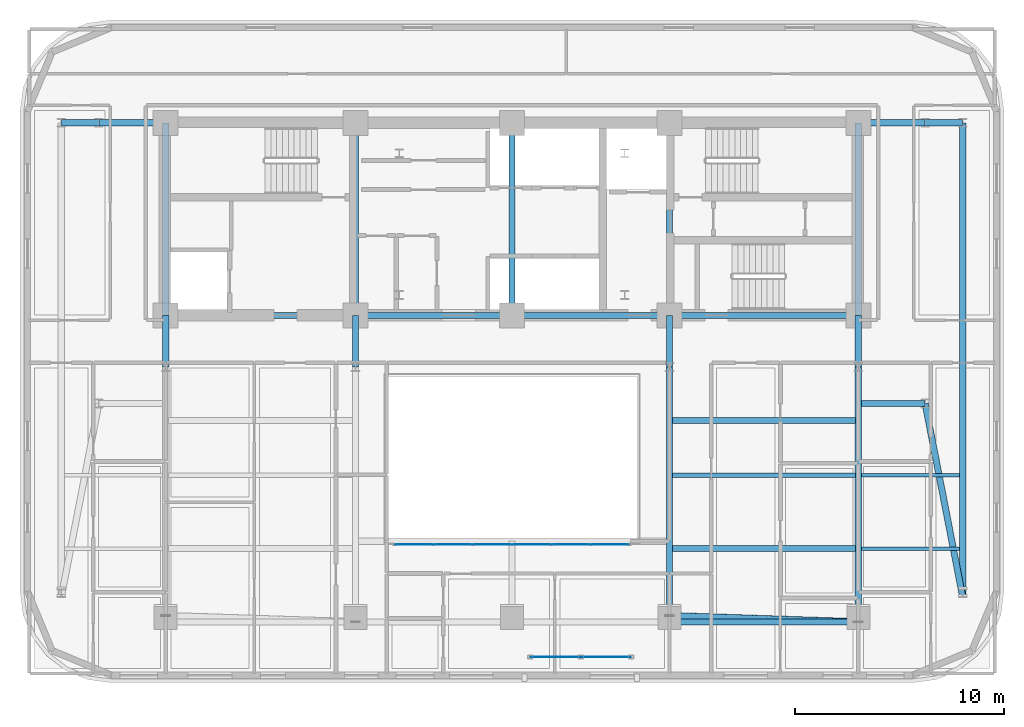
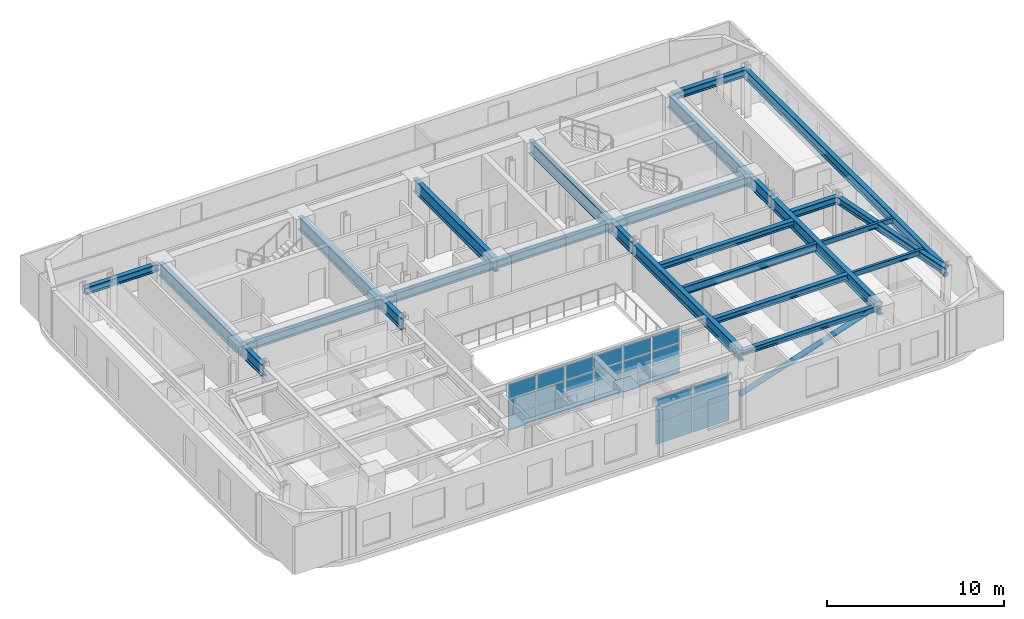
# One storey, part 3 of 13: 28 beams, 22 plates, 1 member, 2 elements without a shape of their own.
"""IFC4 building model written with IfcOpenShell, lengths in metres."""

import ifcopenshell
import ifcopenshell.guid

model = None  # the IFC model being written
_history = None  # IfcOwnerHistory: only IFC2X3 demands one
_inside = {}  # id of a spatial element -> (the spatial element, [elements in it])
_under = {}  # id of a project, library or spatial element -> (it, [spatial elements below it])
_declared = {}  # id of a project -> (the project, [libraries it declares])
_typed = {}  # id of a type object -> (the type object, [elements of that type])
_made_of = {}  # id of a material, layer set ... -> (it, [elements and type objects made of it])


def new_model(schema):
    """Start an empty IFC model of exactly this schema.

    Asked for "IFC4X3", IfcOpenShell would pick the latest addendum, in which some entities
    have other attributes; the version numbers below select the first issue.
    IFC2X3 requires an IfcOwnerHistory on every rooted entity: one is made here for all.
    """
    global model, _history
    if schema == "IFC4X3":
        model = ifcopenshell.file(schema_version=(4, 3, 0, 0))
    else:
        model = ifcopenshell.file(schema=schema)
    _inside.clear()
    _under.clear()
    _declared.clear()
    _typed.clear()
    _made_of.clear()
    _history = None
    if model.schema == "IFC2X3":
        org = make("IfcOrganization", Name="unknown")
        user = make(
            "IfcPersonAndOrganization",
            ThePerson=make("IfcPerson", FamilyName="unknown"),
            TheOrganization=org,
        )
        app = make(
            "IfcApplication",
            ApplicationDeveloper=org,
            Version="unknown",
            ApplicationFullName="unknown",
            ApplicationIdentifier="unknown",
        )
        _history = make(
            "IfcOwnerHistory",
            OwningUser=user,
            OwningApplication=app,
            ChangeAction="ADDED",
            CreationDate=0,
        )
    return model


def make(cls, **values):
    """One entity of the class cls with the attributes given. An attribute that is None is left unset."""
    return model.create_entity(
        cls, **{name: value for name, value in values.items() if value is not None}
    )


def rooted(cls, **values):
    """An entity with a GlobalId (a new one), such as an element, a storey or a relation."""
    return make(cls, GlobalId=ifcopenshell.guid.new(), OwnerHistory=_history, **values)


def si_unit(unit_type, name, prefix=None):
    """IfcSIUnit, for example si_unit("LENGTHUNIT", "METRE", prefix="MILLI")."""
    return make("IfcSIUnit", UnitType=unit_type, Prefix=prefix, Name=name)


def assignment(units):
    """IfcUnitAssignment: the units of a project."""
    return None if units is None else make("IfcUnitAssignment", Units=units)


def point(xyz):
    """IfcCartesianPoint."""
    return None if xyz is None else make("IfcCartesianPoint", Coordinates=xyz)


def direction(xyz):
    """IfcDirection."""
    return None if xyz is None else make("IfcDirection", DirectionRatios=xyz)


def frame(location, z_axis=None, x_axis=None):
    """IfcAxis2Placement3D, a coordinate frame: its origin and axes. An axis left out is left unset."""
    return make(
        "IfcAxis2Placement3D",
        Location=point(location),
        Axis=direction(z_axis),
        RefDirection=direction(x_axis),
    )


def frame_2d(location, x_axis=None):
    """IfcAxis2Placement2D, a coordinate frame in the plane: its origin and x axis."""
    return make(
        "IfcAxis2Placement2D", Location=point(location), RefDirection=direction(x_axis)
    )


def origin():
    """The frame at (0, 0, 0) with its axes left unset."""
    return frame((0.0, 0.0, 0.0))


def origin_2d():
    """The frame at (0, 0) in the plane with its x axis left unset."""
    return frame_2d((0.0, 0.0))


def place(relative_to, where):
    """IfcLocalPlacement: puts the frame where relative to a parent placement (None: the world)."""
    return make(
        "IfcLocalPlacement", PlacementRelTo=relative_to, RelativePlacement=where
    )


def context(
    kind, dimensions, precision=None, world=None, true_north=None, identifier=None
):
    """IfcGeometricRepresentationContext, for example the 3D "Model" context."""
    return make(
        "IfcGeometricRepresentationContext",
        ContextIdentifier=identifier,
        ContextType=kind,
        CoordinateSpaceDimension=dimensions,
        Precision=precision,
        WorldCoordinateSystem=world,
        TrueNorth=true_north,
    )


def subcontext(parent, identifier, kind, view, scale=None):
    """IfcGeometricRepresentationSubContext, for example "Body" below "Model"."""
    return make(
        "IfcGeometricRepresentationSubContext",
        ContextIdentifier=identifier,
        ContextType=kind,
        ParentContext=parent,
        TargetScale=scale,
        TargetView=view,
    )


def project(units=None, contexts=None):
    """IfcProject with its units and contexts."""
    return rooted(
        "IfcProject",
        Name="project",
        RepresentationContexts=contexts,
        UnitsInContext=assignment(units),
    )


def spatial(cls, under=None, at=None, **own):
    """A site, building, storey or space (cls), placed at a placement, below another one or the project."""
    s = rooted(cls, ObjectPlacement=at, **own)
    if under is not None:
        _under.setdefault(under.id(), (under, []))[1].append(s)
    return s


def profile(cls, at=None, kind="AREA", **sizes):
    """A parametric profile (cls). Its sizes go by their IFC names, for example OverallWidth=200.0."""
    return make(cls, ProfileType=kind, Position=at, **sizes)


def rectangle(**sizes):
    """IfcRectangleProfileDef."""
    return profile("IfcRectangleProfileDef", **sizes)


def hollow_circle(**sizes):
    """IfcCircleHollowProfileDef."""
    return profile("IfcCircleHollowProfileDef", **sizes)


def i_section(**sizes):
    """IfcIShapeProfileDef."""
    return profile("IfcIShapeProfileDef", **sizes)


def extrude(swept, where, along, depth):
    """IfcExtrudedAreaSolid: the profile swept, set in the frame where, extruded along a direction by depth."""
    return make(
        "IfcExtrudedAreaSolid",
        SweptArea=swept,
        Position=where,
        ExtrudedDirection=direction(along),
        Depth=depth,
    )


def shape(context_of_items, identifier, shape_type, items):
    """IfcShapeRepresentation: the items that make up one representation, for example the "Body"."""
    return make(
        "IfcShapeRepresentation",
        ContextOfItems=context_of_items,
        RepresentationIdentifier=identifier,
        RepresentationType=shape_type,
        Items=items,
    )


def material(Name=None, Category=None):
    """IfcMaterial."""
    return make("IfcMaterial", Name=Name, Category=Category)


def layer(
    of_material, thickness, ventilated=None, Name=None, Category=None, Priority=None
):
    """IfcMaterialLayer: one layer of a wall or slab, of a material (None: an air gap)."""
    return make(
        "IfcMaterialLayer",
        Material=of_material,
        LayerThickness=thickness,
        IsVentilated=ventilated,
        Name=Name,
        Category=Category,
        Priority=Priority,
    )


def layer_set(layers, Name=None):
    """IfcMaterialLayerSet."""
    return make("IfcMaterialLayerSet", MaterialLayers=layers, LayerSetName=Name)


def material_profile(
    of_material, cross_section, Name=None, Category=None, Priority=None
):
    """IfcMaterialProfile: a cross section and its material."""
    return make(
        "IfcMaterialProfile",
        Name=Name,
        Material=of_material,
        Profile=cross_section,
        Priority=Priority,
        Category=Category,
    )


def profile_set(profiles, Name=None, composite=None):
    """IfcMaterialProfileSet."""
    return make(
        "IfcMaterialProfileSet",
        Name=Name,
        MaterialProfiles=profiles,
        CompositeProfile=composite,
    )


def made_of(thing, what):
    """Note that an element or type object is made of a material, layer set ...; save() writes the relation."""
    if what is not None:
        _made_of.setdefault(what.id(), (what, []))[1].append(thing)
    return thing


def type_object(cls, material=None, **own):
    """A type object (cls), such as IfcWallType, which elements share."""
    return made_of(rooted(cls, **own), material)


def element(
    cls,
    number,
    at=None,
    inside=None,
    cuts=None,
    type_object=None,
    material=None,
    context=None,
    identifier="Body",
    shape_type=None,
    held_by="IfcProductDefinitionShape",
    body=None,
    shapes=None,
    **own,
):
    """One element of the class cls, such as IfcWall. Its Tag is "e" and its number.

    at: its placement. inside: the storey or other place that contains it. cuts: it is an
    opening in that element (IfcRelVoidsElement). A single representation is given by context,
    identifier, shape_type and body (its items); several are given by shapes. held_by: the class
    of the entity that holds the representations. save() writes the other relations.
    """
    e = rooted(cls, Tag="e%d" % number, ObjectPlacement=at, **own)
    if body is not None:
        shapes = [shape(context, identifier, shape_type, body)]
    if shapes is not None:
        e.Representation = make(held_by, Representations=shapes)
    if inside is not None:
        _inside.setdefault(inside.id(), (inside, []))[1].append(e)
    if cuts is not None:
        rooted(
            "IfcRelVoidsElement", RelatingBuildingElement=cuts, RelatedOpeningElement=e
        )
    if type_object is not None:
        _typed.setdefault(type_object.id(), (type_object, []))[1].append(e)
    return made_of(e, material)


def aggregate(whole, parts):
    """IfcRelAggregates: a whole, such as a stair, and the parts it consists of."""
    return rooted("IfcRelAggregates", RelatingObject=whole, RelatedObjects=parts)


def save(model, path):
    """Write the relations noted so far, then the file.

    IfcRelAggregates (storeys below a building ...), IfcRelContainedInSpatialStructure (elements
    in a storey), IfcRelDefinesByType, IfcRelAssociatesMaterial and IfcRelDeclares: one each for
    every whole, place, type object, material and project.
    """
    for whole, parts in _under.values():
        aggregate(whole, parts)
    for where, things in _inside.values():
        rooted(
            "IfcRelContainedInSpatialStructure",
            RelatedElements=things,
            RelatingStructure=where,
        )
    for kind, things in _typed.values():
        rooted("IfcRelDefinesByType", RelatedObjects=things, RelatingType=kind)
    for what, things in _made_of.values():
        rooted("IfcRelAssociatesMaterial", RelatedObjects=things, RelatingMaterial=what)
    for by, libraries in _declared.values():
        rooted("IfcRelDeclares", RelatingContext=by, RelatedDefinitions=libraries)
    model.write(path)


model = new_model("IFC4")

# Units and contexts
model_context = context("Model", 3, precision=1e-05, world=origin(), true_north=direction((0.0, 1.0)))
body_context = subcontext(model_context, "Body", "Model", "MODEL_VIEW")
ifc_project = project(units=[si_unit("LENGTHUNIT", "METRE"), si_unit("AREAUNIT", "SQUARE_METRE"), si_unit("VOLUMEUNIT", "CUBIC_METRE"), si_unit("PLANEANGLEUNIT", "RADIAN"), si_unit("MASSUNIT", "GRAM", prefix="KILO")], contexts=[model_context])

# Site, building, storey
site_placement = place(None, origin())
site = spatial("IfcSite", under=ifc_project, at=site_placement, CompositionType="ELEMENT")
building_placement = place(site_placement, origin())
building = spatial("IfcBuilding", under=site, at=building_placement, Name="Zarnavel Station Tower", CompositionType="ELEMENT")
storey_placement = place(building_placement, frame((0.0, 0.0, 141.25)))
storey = spatial("IfcBuildingStorey", under=building, at=storey_placement, Name="L38", CompositionType="ELEMENT", Elevation=141.25)

# Member
ifc_material_1 = material(Name="Steel S355J2", Category="steel")
ifc_material_profile_1 = material_profile(ifc_material_1, hollow_circle(Radius=0.161865234375, WallThickness=0.012451171875, at=origin_2d()), Name="CHS323.9x12.5")
ifc_profile_set_1 = profile_set([ifc_material_profile_1], Name="Steel S355J2")
member_type = type_object("IfcMemberType", Name="DB_EXT_CHS324", PredefinedType="BRACE", material=ifc_profile_set_1)
member_placement = place(storey_placement, frame((36.35009765625, 13.427978515625, 0.0), z_axis=(0.939370056938, -0.030942344867, 0.341506174795), x_axis=(0.032921607344, 0.999457936969, 0.0)))
element("IfcMember", 1, at=member_placement, inside=storey, type_object=member_type, Name="L38 Persian Exterior Diagonal Frame Brace 2", PredefinedType="BRACE", context=body_context, shape_type="SweptSolid", body=[
    extrude(hollow_circle(Radius=0.161865234375, WallThickness=0.012451171875, at=origin_2d()), origin(), (0.0, 0.0, 1.0), 9.6337890625),
])

# Beams
ifc_material_2 = material(Name="Steel S355J2", Category="steel")
ifc_material_profile_2 = material_profile(ifc_material_2, i_section(OverallWidth=0.300048828125, OverallDepth=0.360107421875, WebThickness=0.012451171875, FlangeThickness=0.0224609375, FilletRadius=0.027099609375, at=origin_2d()), Name="HEB360")
ifc_profile_set_2 = profile_set([ifc_material_profile_2], Name="Steel S355J2")
beam_type_1 = type_object("IfcBeamType", Name="EB_HEB360", PredefinedType="SPANDREL", material=ifc_profile_set_2)
beam_1_placement = place(storey_placement, frame((36.35009765625, 13.1298828125, 3.110107421875), z_axis=(1.0, 0.0, 0.0), x_axis=(0.0, 1.0, 0.0)))
element("IfcBeam", 2, at=beam_1_placement, inside=storey, type_object=beam_type_1, Name="L38 South Raked Spandrel 4", PredefinedType="SPANDREL", context=body_context, shape_type="SweptSolid", body=[
    extrude(i_section(OverallWidth=0.300048828125, OverallDepth=0.360107421875, WebThickness=0.012451171875, FlangeThickness=0.0224609375, FilletRadius=0.027099609375, at=origin_2d()), origin(), (0.0, 0.0, 1.0), 9.0498046875),
])
ifc_material_3 = material(Name="Steel S355J2", Category="steel")
ifc_material_profile_3 = material_profile(ifc_material_3, i_section(OverallWidth=0.300048828125, OverallDepth=0.389892578125, WebThickness=0.010986328125, FlangeThickness=0.01904296875, FilletRadius=0.027099609375, at=origin_2d()), Name="HEA400")
ifc_profile_set_3 = profile_set([ifc_material_profile_3], Name="Steel S355J2")
beam_type_2 = type_object("IfcBeamType", Name="FB_HEA400", PredefinedType="BEAM", material=ifc_profile_set_3)
for number, where, z_axis, x_axis, name in (
    (3, (36.4951171875, 16.647216796875, 3.094970703125), (1.0, 0.0, 0.0), (0.0, 1.0, 0.0), "L38 East Bay Beam 1"),
    (4, (36.4951171875, 22.782470703125, 3.094970703125), (1.0, 0.0, 0.0), (0.0, 1.0, 0.0), "L38 East Bay Beam 3"),
):
    element("IfcBeam", number, at=place(storey_placement, frame(where, z_axis=z_axis, x_axis=x_axis)), inside=storey, type_object=beam_type_2, Name=name, PredefinedType="BEAM", context=body_context, shape_type="SweptSolid", body=[
        extrude(i_section(OverallWidth=0.300048828125, OverallDepth=0.389892578125, WebThickness=0.010986328125, FlangeThickness=0.01904296875, FilletRadius=0.027099609375, at=origin_2d()), origin(), (0.0, 0.0, 1.0), 8.759765625),
    ])
ifc_material_4 = material(Name="Steel S355J2", Category="steel")
ifc_material_profile_4 = material_profile(ifc_material_4, i_section(OverallWidth=0.2099609375, OverallDepth=0.550048828125, WebThickness=0.010986328125, FlangeThickness=0.01708984375, FilletRadius=0.02392578125, at=origin_2d()), Name="IPE550")
ifc_profile_set_4 = profile_set([ifc_material_profile_4], Name="Steel S355J2")
beam_type_3 = type_object("IfcBeamType", Name="FB_IPE550", PredefinedType="BEAM", material=ifc_profile_set_4)
beam_2_placement = place(storey_placement, frame((36.4951171875, 20.164794921875, 3.014892578125), z_axis=(1.0, 0.0, 0.0), x_axis=(0.0, 1.0, 0.0)))
element("IfcBeam", 5, at=beam_2_placement, inside=storey, type_object=beam_type_3, Name="L38 East Bay Beam 2", PredefinedType="BEAM", context=body_context, shape_type="SweptSolid", body=[
    extrude(i_section(OverallWidth=0.2099609375, OverallDepth=0.550048828125, WebThickness=0.010986328125, FlangeThickness=0.01708984375, FilletRadius=0.02392578125, at=origin_2d()), origin(), (0.0, 0.0, 1.0), 8.759765625),
])
ifc_material_5 = material(Name="Steel S355J2", Category="steel")
ifc_material_profile_5 = material_profile(ifc_material_5, i_section(OverallWidth=0.300048828125, OverallDepth=0.5, WebThickness=0.014404296875, FlangeThickness=0.028076171875, FilletRadius=0.027099609375, at=origin_2d()), Name="HEB500")
ifc_profile_set_5 = profile_set([ifc_material_profile_5], Name="Steel S355J2")
beam_type_4 = type_object("IfcBeamType", Name="FG_HEB500", PredefinedType="USERDEFINED", material=ifc_profile_set_5)
beam_3_placement = place(storey_placement, frame((7.199951171875, 37.050048828125, 3.0400390625), z_axis=(1.0, 0.0, 0.0), x_axis=(0.0, 1.0, 0.0)))
element("IfcBeam", 6, at=beam_3_placement, inside=storey, type_object=beam_type_4, Name="L38 West Wing North Tie 1", ObjectType="GIRDER", PredefinedType="USERDEFINED", context=body_context, shape_type="SweptSolid", body=[
    extrude(i_section(OverallWidth=0.300048828125, OverallDepth=0.5, WebThickness=0.014404296875, FlangeThickness=0.028076171875, FilletRadius=0.027099609375, at=origin_2d()), origin(), (0.0, 0.0, 1.0), 1.800048828125),
])
beam_4_placement = place(storey_placement, frame((9.0, 37.050048828125, 3.0400390625), z_axis=(1.0, 0.0, 0.0), x_axis=(0.0, 1.0, 0.0)))
element("IfcBeam", 7, at=beam_4_placement, inside=storey, type_object=beam_type_4, Name="L38 West Wing North Tie 2", ObjectType="GIRDER", PredefinedType="USERDEFINED", context=body_context, shape_type="SweptSolid", body=[
    extrude(i_section(OverallWidth=0.300048828125, OverallDepth=0.5, WebThickness=0.014404296875, FlangeThickness=0.028076171875, FilletRadius=0.027099609375, at=origin_2d()), origin(), (0.0, 0.0, 1.0), 3.054931640625),
])
for number, where, z_axis, x_axis, name in (
    (8, (45.544921875, 23.60009765625, 3.0400390625), (1.0, 0.0, 0.0), (0.0, 1.0, 0.0), "L38 East Wing South Tie 1"),
    (9, (45.544921875, 37.050048828125, 3.0400390625), (1.0, 0.0, 0.0), (0.0, 1.0, 0.0), "L38 East Wing North Tie 1"),
):
    element("IfcBeam", number, at=place(storey_placement, frame(where, z_axis=z_axis, x_axis=x_axis)), inside=storey, type_object=beam_type_4, Name=name, ObjectType="GIRDER", PredefinedType="USERDEFINED", context=body_context, shape_type="SweptSolid", body=[
        extrude(i_section(OverallWidth=0.300048828125, OverallDepth=0.5, WebThickness=0.014404296875, FlangeThickness=0.028076171875, FilletRadius=0.027099609375, at=origin_2d()), origin(), (0.0, 0.0, 1.0), 3.05517578125),
    ])
beam_5_placement = place(storey_placement, frame((48.60009765625, 23.60009765625, 3.0400390625), z_axis=(0.190783072945, -0.981632221903, 0.0), x_axis=(0.981632221903, 0.190783072945, 0.0)))
element("IfcBeam", 10, at=beam_5_placement, inside=storey, type_object=beam_type_4, Name="L38 East Wing South Tie 2", ObjectType="GIRDER", PredefinedType="USERDEFINED", context=body_context, shape_type="SweptSolid", body=[
    extrude(i_section(OverallWidth=0.300048828125, OverallDepth=0.5, WebThickness=0.014404296875, FlangeThickness=0.028076171875, FilletRadius=0.027099609375, at=origin_2d()), origin(), (0.0, 0.0, 1.0), 9.433837890625),
])
beam_6_placement = place(storey_placement, frame((48.60009765625, 37.050048828125, 3.0400390625), z_axis=(1.0, 0.0, 0.0), x_axis=(0.0, 1.0, 0.0)))
element("IfcBeam", 11, at=beam_6_placement, inside=storey, type_object=beam_type_4, Name="L38 East Wing North Tie 2", ObjectType="GIRDER", PredefinedType="USERDEFINED", context=body_context, shape_type="SweptSolid", body=[
    extrude(i_section(OverallWidth=0.300048828125, OverallDepth=0.5, WebThickness=0.014404296875, FlangeThickness=0.028076171875, FilletRadius=0.027099609375, at=origin_2d()), origin(), (0.0, 0.0, 1.0), 1.7998046875),
])
ifc_material_6 = material(Name="Steel S355J2", Category="steel")
ifc_material_profile_6 = material_profile(ifc_material_6, i_section(OverallWidth=0.300048828125, OverallDepth=0.60009765625, WebThickness=0.015380859375, FlangeThickness=0.030029296875, FilletRadius=0.027099609375, at=origin_2d()), Name="HEB600")
ifc_profile_set_6 = profile_set([ifc_material_profile_6], Name="Steel S355J2")
beam_type_5 = type_object("IfcBeamType", Name="FG_HEB600", PredefinedType="USERDEFINED", material=ifc_profile_set_6)
beam_7_placement = place(storey_placement, frame((12.199951171875, 27.820068359375, 2.989990234375), z_axis=(1.0, 0.0, 0.0), x_axis=(0.0, 1.0, 0.0)))
element("IfcBeam", 12, at=beam_7_placement, inside=storey, type_object=beam_type_5, Name="L38 Core Front Coupling Beam 1", ObjectType="GIRDER", PredefinedType="USERDEFINED", context=body_context, shape_type="SweptSolid", body=[
    extrude(i_section(OverallWidth=0.300048828125, OverallDepth=0.60009765625, WebThickness=0.015380859375, FlangeThickness=0.030029296875, FilletRadius=0.027099609375, at=origin_2d()), origin(), (0.0, 0.0, 1.0), 9.10009765625),
])
beam_8_placement = place(storey_placement, frame((21.300048828125, 27.820068359375, 2.989990234375), z_axis=(1.0, 0.0, 0.0), x_axis=(0.0, 1.0, 0.0)))
element("IfcBeam", 13, at=beam_8_placement, inside=storey, type_object=beam_type_5, Name="L38 Core Front Coupling Beam 2", ObjectType="GIRDER", PredefinedType="USERDEFINED", context=body_context, shape_type="SweptSolid", body=[
    extrude(i_section(OverallWidth=0.300048828125, OverallDepth=0.60009765625, WebThickness=0.015380859375, FlangeThickness=0.030029296875, FilletRadius=0.027099609375, at=origin_2d()), origin(), (0.0, 0.0, 1.0), 7.5),
])
beam_9_placement = place(storey_placement, frame((28.800048828125, 27.820068359375, 2.989990234375), z_axis=(1.0, 0.0, 0.0), x_axis=(0.0, 1.0, 0.0)))
element("IfcBeam", 14, at=beam_9_placement, inside=storey, type_object=beam_type_5, Name="L38 Core Front Coupling Beam 3", ObjectType="GIRDER", PredefinedType="USERDEFINED", context=body_context, shape_type="SweptSolid", body=[
    extrude(i_section(OverallWidth=0.300048828125, OverallDepth=0.60009765625, WebThickness=0.015380859375, FlangeThickness=0.030029296875, FilletRadius=0.027099609375, at=origin_2d()), origin(), (0.0, 0.0, 1.0), 7.550048828125),
])
beam_10_placement = place(storey_placement, frame((36.35009765625, 27.820068359375, 2.989990234375), z_axis=(1.0, 0.0, 0.0), x_axis=(0.0, 1.0, 0.0)))
element("IfcBeam", 15, at=beam_10_placement, inside=storey, type_object=beam_type_5, Name="L38 Core Front Coupling Beam 4", ObjectType="GIRDER", PredefinedType="USERDEFINED", context=body_context, shape_type="SweptSolid", body=[
    extrude(i_section(OverallWidth=0.300048828125, OverallDepth=0.60009765625, WebThickness=0.015380859375, FlangeThickness=0.030029296875, FilletRadius=0.027099609375, at=origin_2d()), origin(), (0.0, 0.0, 1.0), 9.0498046875),
])
ifc_material_7 = material(Name="Steel S355J2", Category="steel")
ifc_material_profile_7 = material_profile(ifc_material_7, i_section(OverallWidth=0.300048828125, OverallDepth=0.64990234375, WebThickness=0.01611328125, FlangeThickness=0.031005859375, FilletRadius=0.027099609375, at=origin_2d()), Name="HEB650")
ifc_profile_set_7 = profile_set([ifc_material_profile_7], Name="Steel S355J2")
beam_type_6 = type_object("IfcBeamType", Name="FG_HEB650", PredefinedType="USERDEFINED", material=ifc_profile_set_7)
beam_11_placement = place(storey_placement, frame((50.39990234375, 14.339599609375, 2.965087890625), z_axis=(0.0, 1.0, 0.0), x_axis=(-1.0, 0.0, 0.0)))
element("IfcBeam", 16, at=beam_11_placement, inside=storey, type_object=beam_type_6, Name="L38 Wing NS Girder 2", ObjectType="GIRDER", PredefinedType="USERDEFINED", context=body_context, shape_type="SweptSolid", body=[
    extrude(i_section(OverallWidth=0.300048828125, OverallDepth=0.64990234375, WebThickness=0.01611328125, FlangeThickness=0.031005859375, FilletRadius=0.027099609375, at=origin_2d()), origin(), (0.0, 0.0, 1.0), 22.71044921875),
])
ifc_material_8 = material(Name="Steel S460M", Category="steel")
ifc_material_profile_8 = material_profile(ifc_material_8, i_section(OverallWidth=0.302978515625, OverallDepth=0.81396484375, WebThickness=0.02099609375, FlangeThickness=0.0400390625, FilletRadius=0.030029296875, at=origin_2d()), Name="HEM800")
ifc_profile_set_8 = profile_set([ifc_material_profile_8], Name="Steel S460M")
beam_type_7 = type_object("IfcBeamType", Name="FG_HEM800", PredefinedType="USERDEFINED", material=ifc_profile_set_8)
for number, where, z_axis, x_axis, name in (
    (17, (12.199951171875, 25.35009765625, 2.883056640625), (0.0, 1.0, 0.0), (-1.0, 0.0, 0.0), "L38 Inner-Zone NS Girder 1"),
    (18, (21.300048828125, 25.35009765625, 2.883056640625), (0.0, 1.0, 0.0), (-1.0, 0.0, 0.0), "L38 Inner-Zone NS Girder 2"),
):
    element("IfcBeam", number, at=place(storey_placement, frame(where, z_axis=z_axis, x_axis=x_axis)), inside=storey, type_object=beam_type_7, Name=name, ObjectType="GIRDER", PredefinedType="USERDEFINED", context=body_context, shape_type="SweptSolid", body=[
        extrude(i_section(OverallWidth=0.302978515625, OverallDepth=0.81396484375, WebThickness=0.02099609375, FlangeThickness=0.0400390625, FilletRadius=0.030029296875, at=origin_2d()), origin(), (0.0, 0.0, 1.0), 2.469970703125),
    ])
beam_12_placement = place(storey_placement, frame((36.35009765625, 13.1298828125, 2.883056640625), z_axis=(0.0, 1.0, 0.0), x_axis=(-1.0, 0.0, 0.0)))
element("IfcBeam", 19, at=beam_12_placement, inside=storey, type_object=beam_type_7, Name="L38 South-Zone NS Girder 4", ObjectType="GIRDER", PredefinedType="USERDEFINED", context=body_context, shape_type="SweptSolid", body=[
    extrude(i_section(OverallWidth=0.302978515625, OverallDepth=0.81396484375, WebThickness=0.02099609375, FlangeThickness=0.0400390625, FilletRadius=0.030029296875, at=origin_2d()), origin(), (0.0, 0.0, 1.0), 12.22021484375),
])
beam_13_placement = place(storey_placement, frame((36.35009765625, 25.35009765625, 2.883056640625), z_axis=(0.0, 1.0, 0.0), x_axis=(-1.0, 0.0, 0.0)))
element("IfcBeam", 20, at=beam_13_placement, inside=storey, type_object=beam_type_7, Name="L38 Inner-Zone NS Girder 4", ObjectType="GIRDER", PredefinedType="USERDEFINED", context=body_context, shape_type="SweptSolid", body=[
    extrude(i_section(OverallWidth=0.302978515625, OverallDepth=0.81396484375, WebThickness=0.02099609375, FlangeThickness=0.0400390625, FilletRadius=0.030029296875, at=origin_2d()), origin(), (0.0, 0.0, 1.0), 2.469970703125),
])
beam_14_placement = place(storey_placement, frame((45.39990234375, 13.1298828125, 2.883056640625), z_axis=(0.0, 1.0, 0.0), x_axis=(-1.0, 0.0, 0.0)))
element("IfcBeam", 21, at=beam_14_placement, inside=storey, type_object=beam_type_7, Name="L38 South-Zone NS Girder 5", ObjectType="GIRDER", PredefinedType="USERDEFINED", context=body_context, shape_type="SweptSolid", body=[
    extrude(i_section(OverallWidth=0.302978515625, OverallDepth=0.81396484375, WebThickness=0.02099609375, FlangeThickness=0.0400390625, FilletRadius=0.030029296875, at=origin_2d()), origin(), (0.0, 0.0, 1.0), 12.22021484375),
])
beam_15_placement = place(storey_placement, frame((45.39990234375, 25.35009765625, 2.883056640625), z_axis=(0.0, 1.0, 0.0), x_axis=(-1.0, 0.0, 0.0)))
element("IfcBeam", 22, at=beam_15_placement, inside=storey, type_object=beam_type_7, Name="L38 Inner-Zone NS Girder 5", ObjectType="GIRDER", PredefinedType="USERDEFINED", context=body_context, shape_type="SweptSolid", body=[
    extrude(i_section(OverallWidth=0.302978515625, OverallDepth=0.81396484375, WebThickness=0.02099609375, FlangeThickness=0.0400390625, FilletRadius=0.030029296875, at=origin_2d()), origin(), (0.0, 0.0, 1.0), 2.469970703125),
])
ifc_material_9 = material(Name="Steel S355J2", Category="steel")
ifc_material_profile_9 = material_profile(ifc_material_9, i_section(OverallWidth=0.169921875, OverallDepth=0.360107421875, WebThickness=0.008056640625, FlangeThickness=0.0126953125, FilletRadius=0.01806640625, at=origin_2d()), Name="IPE360")
ifc_profile_set_9 = profile_set([ifc_material_profile_9], Name="Steel S355J2")
beam_type_8 = type_object("IfcBeamType", Name="FJ_IPE360", PredefinedType="JOIST", material=ifc_profile_set_9)
for number, where, z_axis, x_axis, name in (
    (23, (45.544921875, 16.647216796875, 3.110107421875), (1.0, 0.0, 0.0), (0.0, 1.0, 0.0), "L38 East Wing Joist 1"),
    (24, (45.544921875, 20.164794921875, 3.110107421875), (1.0, 0.0, 0.0), (0.0, 1.0, 0.0), "L38 East Wing Joist 2"),
):
    element("IfcBeam", number, at=place(storey_placement, frame(where, z_axis=z_axis, x_axis=x_axis)), inside=storey, type_object=beam_type_8, Name=name, PredefinedType="JOIST", context=body_context, shape_type="SweptSolid", body=[
        extrude(i_section(OverallWidth=0.169921875, OverallDepth=0.360107421875, WebThickness=0.008056640625, FlangeThickness=0.0126953125, FilletRadius=0.01806640625, at=origin_2d()), origin(), (0.0, 0.0, 1.0), 4.7099609375),
    ])
ifc_material_10 = material(Name="Steel S460M", Category="steel")
ifc_material_profile_10 = material_profile(ifc_material_10, i_section(OverallWidth=0.302001953125, OverallDepth=0.909912109375, WebThickness=0.02099609375, FlangeThickness=0.0400390625, FilletRadius=0.030029296875, at=origin_2d()), Name="HEM900")
ifc_profile_set_10 = profile_set([ifc_material_profile_10], Name="Steel S460M")
beam_type_9 = type_object("IfcBeamType", Name="TG_HEM900", PredefinedType="USERDEFINED", material=ifc_profile_set_10)
for number, where, z_axis, x_axis, name in (
    (25, (12.199951171875, 27.820068359375, 2.8349609375), (0.0, 1.0, 0.0), (-1.0, 0.0, 0.0), "L38 Core Spine Coupling Girder 1"),
    (26, (21.300048828125, 27.820068359375, 2.8349609375), (0.0, 1.0, 0.0), (-1.0, 0.0, 0.0), "L38 Core Spine Coupling Girder 2"),
    (27, (28.800048828125, 27.820068359375, 2.8349609375), (0.0, 1.0, 0.0), (-1.0, 0.0, 0.0), "L38 Core Spine Coupling Girder 3"),
    (28, (36.35009765625, 27.820068359375, 2.8349609375), (0.0, 1.0, 0.0), (-1.0, 0.0, 0.0), "L38 Core Spine Coupling Girder 4"),
    (29, (45.39990234375, 27.820068359375, 2.8349609375), (0.0, 1.0, 0.0), (-1.0, 0.0, 0.0), "L38 Core Spine Coupling Girder 5"),
):
    element("IfcBeam", number, at=place(storey_placement, frame(where, z_axis=z_axis, x_axis=x_axis)), inside=storey, type_object=beam_type_9, Name=name, ObjectType="GIRDER", PredefinedType="USERDEFINED", context=body_context, shape_type="SweptSolid", body=[
        extrude(i_section(OverallWidth=0.302001953125, OverallDepth=0.909912109375, WebThickness=0.02099609375, FlangeThickness=0.0400390625, FilletRadius=0.030029296875, at=origin_2d()), origin(), (0.0, 0.0, 1.0), 9.22998046875),
    ])

# Curtain wall, plates
ifc_material_11 = material(Name="Aluminium Dark Anodised and Solar-Control Glass", Category="aluminium")
ifc_layer_1 = layer(ifc_material_11, 0.179931640625)
ifc_layer_set_1 = layer_set([ifc_layer_1], Name="CWS4")
curtain_wall_type_1 = type_object("IfcCurtainWallType", Name="CWS4", PredefinedType="NOTDEFINED", material=ifc_layer_set_1)
curtain_wall_1_placement = place(storey_placement, origin())
curtain_wall_1 = element("IfcCurtainWall", 30, at=curtain_wall_1_placement, inside=storey, type_object=curtain_wall_type_1, Name="L38 Curtain Wall CWS4-L38-AS", PredefinedType="NOTDEFINED")
ifc_material_12 = material(Name="Double Low-E Dark Solar-Control Glass", Category="glass")
ifc_layer_2 = layer(ifc_material_12, 0.031982421875)
ifc_layer_set_2 = layer_set([ifc_layer_2], Name="CWS4_PNL")
plate_type_1 = type_object("IfcPlateType", Name="CWS4_PNL", PredefinedType="CURTAIN_PANEL", material=ifc_layer_set_2)
plate_1_placement = place(storey_placement, frame((24.106689453125, 16.85009765625, 0.06005859375), z_axis=(0.0, 0.0, 1.0), x_axis=(1.0, 0.0, 0.0)))
plate_1 = element("IfcPlate", 31, at=plate_1_placement, type_object=plate_type_1, Name="CW4 panel 1.1", PredefinedType="CURTAIN_PANEL", context=body_context, shape_type="SweptSolid", body=[
    extrude(rectangle(XDim=1.793212890625, YDim=0.028076171875, at=origin_2d()), origin(), (0.0, 0.0, 1.0), 1.006591796875),
])
plate_2_placement = place(storey_placement, frame((24.106689453125, 16.85009765625, 1.126708984375), z_axis=(0.0, 0.0, 1.0), x_axis=(1.0, 0.0, 0.0)))
plate_2 = element("IfcPlate", 32, at=plate_2_placement, type_object=plate_type_1, Name="CW4 panel 1.2", PredefinedType="CURTAIN_PANEL", context=body_context, shape_type="SweptSolid", body=[
    extrude(rectangle(XDim=1.793212890625, YDim=0.028076171875, at=origin_2d()), origin(), (0.0, 0.0, 1.0), 1.03662109375),
])
plate_3_placement = place(storey_placement, frame((24.106689453125, 16.85009765625, 2.22314453125), z_axis=(0.0, 0.0, 1.0), x_axis=(1.0, 0.0, 0.0)))
plate_3 = element("IfcPlate", 33, at=plate_3_placement, type_object=plate_type_1, Name="CW4 panel 1.3", PredefinedType="CURTAIN_PANEL", context=body_context, shape_type="SweptSolid", body=[
    extrude(rectangle(XDim=1.793212890625, YDim=0.028076171875, at=origin_2d()), origin(), (0.0, 0.0, 1.0), 1.006591796875),
])
plate_4_placement = place(storey_placement, frame((25.97509765625, 16.85009765625, 0.06005859375), z_axis=(0.0, 0.0, 1.0), x_axis=(1.0, 0.0, 0.0)))
plate_4 = element("IfcPlate", 34, at=plate_4_placement, type_object=plate_type_1, Name="CW4 panel 2.1", PredefinedType="CURTAIN_PANEL", context=body_context, shape_type="SweptSolid", body=[
    extrude(rectangle(XDim=1.8232421875, YDim=0.028076171875, at=origin_2d()), origin(), (0.0, 0.0, 1.0), 1.006591796875),
])
plate_5_placement = place(storey_placement, frame((25.97509765625, 16.85009765625, 1.126708984375), z_axis=(0.0, 0.0, 1.0), x_axis=(1.0, 0.0, 0.0)))
plate_5 = element("IfcPlate", 35, at=plate_5_placement, type_object=plate_type_1, Name="CW4 panel 2.2", PredefinedType="CURTAIN_PANEL", context=body_context, shape_type="SweptSolid", body=[
    extrude(rectangle(XDim=1.8232421875, YDim=0.028076171875, at=origin_2d()), origin(), (0.0, 0.0, 1.0), 1.03662109375),
])
plate_6_placement = place(storey_placement, frame((25.97509765625, 16.85009765625, 2.22314453125), z_axis=(0.0, 0.0, 1.0), x_axis=(1.0, 0.0, 0.0)))
plate_6 = element("IfcPlate", 36, at=plate_6_placement, type_object=plate_type_1, Name="CW4 panel 2.3", PredefinedType="CURTAIN_PANEL", context=body_context, shape_type="SweptSolid", body=[
    extrude(rectangle(XDim=1.8232421875, YDim=0.028076171875, at=origin_2d()), origin(), (0.0, 0.0, 1.0), 1.006591796875),
])
plate_7_placement = place(storey_placement, frame((27.8583984375, 16.85009765625, 0.06005859375), z_axis=(0.0, 0.0, 1.0), x_axis=(1.0, 0.0, 0.0)))
plate_7 = element("IfcPlate", 37, at=plate_7_placement, type_object=plate_type_1, Name="CW4 panel 3.1", PredefinedType="CURTAIN_PANEL", context=body_context, shape_type="SweptSolid", body=[
    extrude(rectangle(XDim=1.8232421875, YDim=0.028076171875, at=origin_2d()), origin(), (0.0, 0.0, 1.0), 1.006591796875),
])
plate_8_placement = place(storey_placement, frame((27.8583984375, 16.85009765625, 1.126708984375), z_axis=(0.0, 0.0, 1.0), x_axis=(1.0, 0.0, 0.0)))
plate_8 = element("IfcPlate", 38, at=plate_8_placement, type_object=plate_type_1, Name="CW4 panel 3.2", PredefinedType="CURTAIN_PANEL", context=body_context, shape_type="SweptSolid", body=[
    extrude(rectangle(XDim=1.8232421875, YDim=0.028076171875, at=origin_2d()), origin(), (0.0, 0.0, 1.0), 1.03662109375),
])
plate_9_placement = place(storey_placement, frame((27.8583984375, 16.85009765625, 2.22314453125), z_axis=(0.0, 0.0, 1.0), x_axis=(1.0, 0.0, 0.0)))
plate_9 = element("IfcPlate", 39, at=plate_9_placement, type_object=plate_type_1, Name="CW4 panel 3.3", PredefinedType="CURTAIN_PANEL", context=body_context, shape_type="SweptSolid", body=[
    extrude(rectangle(XDim=1.8232421875, YDim=0.028076171875, at=origin_2d()), origin(), (0.0, 0.0, 1.0), 1.006591796875),
])
plate_10_placement = place(storey_placement, frame((29.74169921875, 16.85009765625, 0.06005859375), z_axis=(0.0, 0.0, 1.0), x_axis=(1.0, 0.0, 0.0)))
plate_10 = element("IfcPlate", 40, at=plate_10_placement, type_object=plate_type_1, Name="CW4 panel 4.1", PredefinedType="CURTAIN_PANEL", context=body_context, shape_type="SweptSolid", body=[
    extrude(rectangle(XDim=1.8232421875, YDim=0.028076171875, at=origin_2d()), origin(), (0.0, 0.0, 1.0), 1.006591796875),
])
plate_11_placement = place(storey_placement, frame((29.74169921875, 16.85009765625, 1.126708984375), z_axis=(0.0, 0.0, 1.0), x_axis=(1.0, 0.0, 0.0)))
plate_11 = element("IfcPlate", 41, at=plate_11_placement, type_object=plate_type_1, Name="CW4 panel 4.2", PredefinedType="CURTAIN_PANEL", context=body_context, shape_type="SweptSolid", body=[
    extrude(rectangle(XDim=1.8232421875, YDim=0.028076171875, at=origin_2d()), origin(), (0.0, 0.0, 1.0), 1.03662109375),
])
plate_12_placement = place(storey_placement, frame((29.74169921875, 16.85009765625, 2.22314453125), z_axis=(0.0, 0.0, 1.0), x_axis=(1.0, 0.0, 0.0)))
plate_12 = element("IfcPlate", 42, at=plate_12_placement, type_object=plate_type_1, Name="CW4 panel 4.3", PredefinedType="CURTAIN_PANEL", context=body_context, shape_type="SweptSolid", body=[
    extrude(rectangle(XDim=1.8232421875, YDim=0.028076171875, at=origin_2d()), origin(), (0.0, 0.0, 1.0), 1.006591796875),
])
plate_13_placement = place(storey_placement, frame((31.625, 16.85009765625, 0.06005859375), z_axis=(0.0, 0.0, 1.0), x_axis=(1.0, 0.0, 0.0)))
plate_13 = element("IfcPlate", 43, at=plate_13_placement, type_object=plate_type_1, Name="CW4 panel 5.1", PredefinedType="CURTAIN_PANEL", context=body_context, shape_type="SweptSolid", body=[
    extrude(rectangle(XDim=1.8232421875, YDim=0.028076171875, at=origin_2d()), origin(), (0.0, 0.0, 1.0), 1.006591796875),
])
plate_14_placement = place(storey_placement, frame((31.625, 16.85009765625, 1.126708984375), z_axis=(0.0, 0.0, 1.0), x_axis=(1.0, 0.0, 0.0)))
plate_14 = element("IfcPlate", 44, at=plate_14_placement, type_object=plate_type_1, Name="CW4 panel 5.2", PredefinedType="CURTAIN_PANEL", context=body_context, shape_type="SweptSolid", body=[
    extrude(rectangle(XDim=1.8232421875, YDim=0.028076171875, at=origin_2d()), origin(), (0.0, 0.0, 1.0), 1.03662109375),
])
plate_15_placement = place(storey_placement, frame((31.625, 16.85009765625, 2.22314453125), z_axis=(0.0, 0.0, 1.0), x_axis=(1.0, 0.0, 0.0)))
plate_15 = element("IfcPlate", 45, at=plate_15_placement, type_object=plate_type_1, Name="CW4 panel 5.3", PredefinedType="CURTAIN_PANEL", context=body_context, shape_type="SweptSolid", body=[
    extrude(rectangle(XDim=1.8232421875, YDim=0.028076171875, at=origin_2d()), origin(), (0.0, 0.0, 1.0), 1.006591796875),
])
plate_16_placement = place(storey_placement, frame((33.493408203125, 16.85009765625, 0.06005859375), z_axis=(0.0, 0.0, 1.0), x_axis=(1.0, 0.0, 0.0)))
plate_16 = element("IfcPlate", 46, at=plate_16_placement, type_object=plate_type_1, Name="CW4 panel 6.1", PredefinedType="CURTAIN_PANEL", context=body_context, shape_type="SweptSolid", body=[
    extrude(rectangle(XDim=1.793212890625, YDim=0.028076171875, at=origin_2d()), origin(), (0.0, 0.0, 1.0), 1.006591796875),
])
plate_17_placement = place(storey_placement, frame((33.493408203125, 16.85009765625, 1.126708984375), z_axis=(0.0, 0.0, 1.0), x_axis=(1.0, 0.0, 0.0)))
plate_17 = element("IfcPlate", 47, at=plate_17_placement, type_object=plate_type_1, Name="CW4 panel 6.2", PredefinedType="CURTAIN_PANEL", context=body_context, shape_type="SweptSolid", body=[
    extrude(rectangle(XDim=1.793212890625, YDim=0.028076171875, at=origin_2d()), origin(), (0.0, 0.0, 1.0), 1.03662109375),
])
plate_18_placement = place(storey_placement, frame((33.493408203125, 16.85009765625, 2.22314453125), z_axis=(0.0, 0.0, 1.0), x_axis=(1.0, 0.0, 0.0)))
plate_18 = element("IfcPlate", 48, at=plate_18_placement, type_object=plate_type_1, Name="CW4 panel 6.3", PredefinedType="CURTAIN_PANEL", context=body_context, shape_type="SweptSolid", body=[
    extrude(rectangle(XDim=1.793212890625, YDim=0.028076171875, at=origin_2d()), origin(), (0.0, 0.0, 1.0), 1.006591796875),
])
aggregate(curtain_wall_1, [plate_1, plate_2, plate_3, plate_4, plate_5, plate_6, plate_7, plate_8, plate_9, plate_10, plate_11, plate_12, plate_13, plate_14, plate_15, plate_16, plate_17, plate_18])

ifc_material_13 = material(Name="Aluminium Dark Anodised and Solar-Control Glass", Category="aluminium")
ifc_layer_3 = layer(ifc_material_13, 0.179931640625)
ifc_layer_set_3 = layer_set([ifc_layer_3], Name="CWS6")
curtain_wall_type_2 = type_object("IfcCurtainWallType", Name="CWS6", PredefinedType="NOTDEFINED", material=ifc_layer_set_3)
curtain_wall_2_placement = place(storey_placement, origin())
curtain_wall_2 = element("IfcCurtainWall", 49, at=curtain_wall_2_placement, inside=storey, type_object=curtain_wall_type_2, Name="L38 Curtain Wall CWS6-LOG-L38", PredefinedType="NOTDEFINED")
ifc_material_14 = material(Name="Double Low-E Dark Solar-Control Glass", Category="glass")
ifc_layer_4 = layer(ifc_material_14, 0.0380859375)
ifc_layer_set_4 = layer_set([ifc_layer_4], Name="CWS6_PNL")
plate_type_2 = type_object("IfcPlateType", Name="CWS6_PNL", PredefinedType="CURTAIN_PANEL", material=ifc_layer_set_4)
plate_19_placement = place(storey_placement, frame((30.889892578125, 11.449951171875, 0.06005859375), z_axis=(0.0, 0.0, 1.0), x_axis=(1.0, 0.0, 0.0)))
plate_19 = element("IfcPlate", 50, at=plate_19_placement, type_object=plate_type_2, Name="CW6 panel 1.1", PredefinedType="CURTAIN_PANEL", context=body_context, shape_type="SweptSolid", body=[
    extrude(rectangle(XDim=2.360107421875, YDim=0.028076171875, at=origin_2d()), origin(), (0.0, 0.0, 1.0), 1.554931640625),
])
plate_20_placement = place(storey_placement, frame((30.889892578125, 11.449951171875, 1.6748046875), z_axis=(0.0, 0.0, 1.0), x_axis=(1.0, 0.0, 0.0)))
plate_20 = element("IfcPlate", 51, at=plate_20_placement, type_object=plate_type_2, Name="CW6 panel 1.2", PredefinedType="CURTAIN_PANEL", context=body_context, shape_type="SweptSolid", body=[
    extrude(rectangle(XDim=2.360107421875, YDim=0.028076171875, at=origin_2d()), origin(), (0.0, 0.0, 1.0), 1.554931640625),
])
plate_21_placement = place(storey_placement, frame((33.31005859375, 11.449951171875, 0.06005859375), z_axis=(0.0, 0.0, 1.0), x_axis=(1.0, 0.0, 0.0)))
plate_21 = element("IfcPlate", 52, at=plate_21_placement, type_object=plate_type_2, Name="CW6 panel 2.1", PredefinedType="CURTAIN_PANEL", context=body_context, shape_type="SweptSolid", body=[
    extrude(rectangle(XDim=2.360107421875, YDim=0.028076171875, at=origin_2d()), origin(), (0.0, 0.0, 1.0), 1.554931640625),
])
plate_22_placement = place(storey_placement, frame((33.31005859375, 11.449951171875, 1.6748046875), z_axis=(0.0, 0.0, 1.0), x_axis=(1.0, 0.0, 0.0)))
plate_22 = element("IfcPlate", 53, at=plate_22_placement, type_object=plate_type_2, Name="CW6 panel 2.2", PredefinedType="CURTAIN_PANEL", context=body_context, shape_type="SweptSolid", body=[
    extrude(rectangle(XDim=2.360107421875, YDim=0.028076171875, at=origin_2d()), origin(), (0.0, 0.0, 1.0), 1.554931640625),
])
aggregate(curtain_wall_2, [plate_19, plate_20, plate_21, plate_22])

save(model, "model.ifc")
